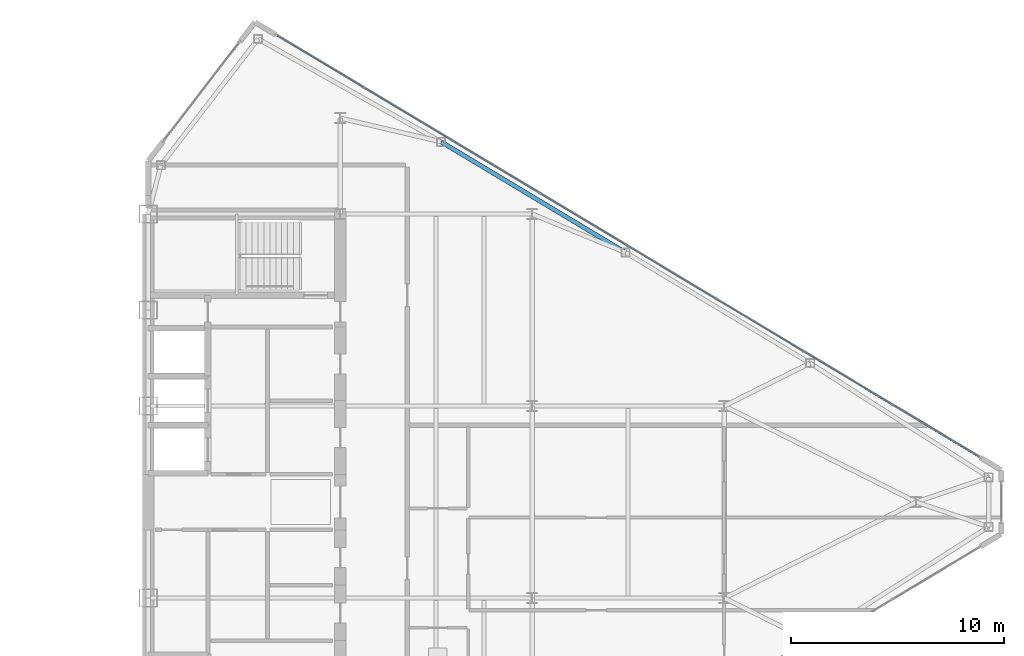
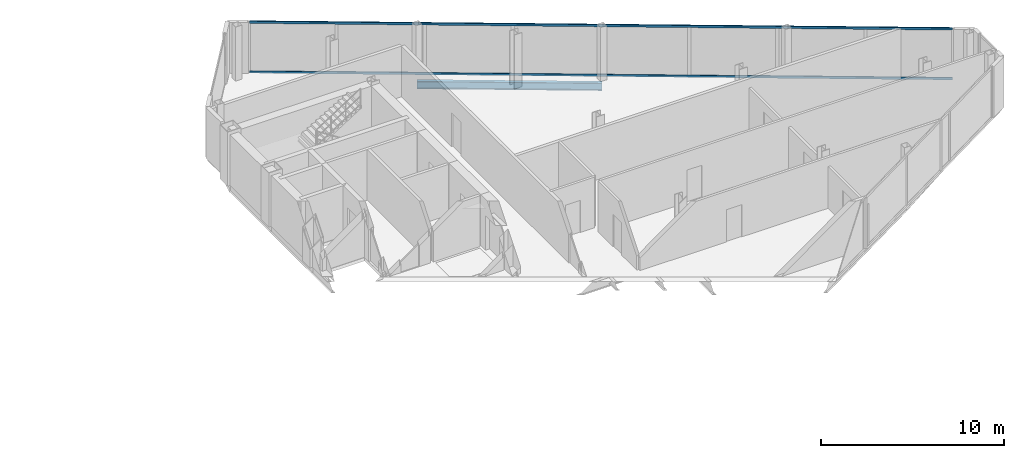
# One storey, part 16 of 25: 2 members, 1 beam, 1 element without a shape of its own.
"""IFC4 building model written with IfcOpenShell, lengths in metres."""

from ifc_helpers import new_model, si_unit, direction, frame, origin, origin_2d, place, context, subcontext, project, spatial, rectangle, i_section, extrude, source, transform, mapped, material, layer, layer_set, material_profile, profile_set, type_object, type_shapes, element, aggregate, save


model = new_model("IFC4")

# Units and contexts
model_context = context("Model", 3, precision=1e-05, world=origin(), true_north=direction((0.0, 1.0)))
body_context = subcontext(model_context, "Body", "Model", "MODEL_VIEW")
ifc_project = project(units=[si_unit("LENGTHUNIT", "METRE"), si_unit("AREAUNIT", "SQUARE_METRE"), si_unit("VOLUMEUNIT", "CUBIC_METRE"), si_unit("PLANEANGLEUNIT", "RADIAN"), si_unit("MASSUNIT", "GRAM", prefix="KILO")], contexts=[model_context])

# Site, building, storey
site_placement = place(None, origin())
site = spatial("IfcSite", under=ifc_project, at=site_placement, CompositionType="ELEMENT")
building_placement = place(site_placement, origin())
building = spatial("IfcBuilding", under=site, at=building_placement, Name="Seokmaru Belvedere", CompositionType="ELEMENT")
storey_placement = place(building_placement, frame((0.0, 0.0, 206.699951171875)))
storey = spatial("IfcBuildingStorey", under=building, at=storey_placement, Name="L55", CompositionType="ELEMENT", Elevation=206.699951171875)

# Beam
ifc_material_1 = material(Name="Steel SM355 (355 MPa)", Category="steel")
ifc_material_profile_1 = material_profile(ifc_material_1, i_section(OverallWidth=0.199951171875, OverallDepth=0.5, WebThickness=0.010009765625, FlangeThickness=0.01611328125, at=origin_2d()), Name="H-500x200x10x16")
ifc_profile_set_1 = profile_set([ifc_material_profile_1], Name="Steel SM355 (355 MPa)")
beam_type = type_object("IfcBeamType", Name="Perimeter Spandrel Beam H-500", PredefinedType="SPANDREL", material=ifc_profile_set_1)
shared_shape_1 = source(origin(), body_context, "Body", "SweptSolid", [
    extrude(i_section(OverallWidth=0.199951171875, OverallDepth=0.5, WebThickness=0.010009765625, FlangeThickness=0.01611328125, at=origin_2d()), origin(), (0.0, 0.0, 1.0), 10.087646484375),
])
type_shapes(beam_type, [shared_shape_1])
beam_placement = place(storey_placement, frame((41.229736328125, 16.888916015625, -0.469970703125), z_axis=(0.857499332045, -0.514485078056, 0.0), x_axis=(0.514485078056, 0.857499332045, 0.0)))
element("IfcBeam", 1, at=beam_placement, inside=storey, type_object=beam_type, Name="L55 E Faceted Flank Spandrel N-2", PredefinedType="SPANDREL", context=body_context, shape_type="MappedRepresentation", body=[
    mapped(shared_shape_1, transform((0.0, 0.0, 0.0), scale=1.0)),
])

# Curtain wall, members
ifc_material_2 = material(Name="Bronze Triple Insulating Glass", Category="glass")
ifc_layer = layer(ifc_material_2, 0.179931640625)
ifc_layer_set = layer_set([ifc_layer], Name="Bronze Triple Insulating Glass")
curtain_wall_type = type_object("IfcCurtainWallType", Name="High-Rise Wind-Corner Curtain Wall System CW-5", PredefinedType="NOTDEFINED", material=ifc_layer_set)
curtain_wall_placement = place(storey_placement, origin())
curtain_wall = element("IfcCurtainWall", 2, at=curtain_wall_placement, inside=storey, type_object=curtain_wall_type, Name="L55 Curtain Wall EF3", PredefinedType="NOTDEFINED")
ifc_material_3 = material(Name="Anodised Bronze Aluminium", Category="aluminium")
ifc_material_profile_2 = material_profile(ifc_material_3, rectangle(XDim=0.06494140625, YDim=0.14990234375, at=origin_2d()), Name="CW-T-65x150")
ifc_profile_set_2 = profile_set([ifc_material_profile_2], Name="Anodised Bronze Aluminium")
member_type = type_object("IfcMemberType", Name="Bronze Unitised Transom 65x150", PredefinedType="USERDEFINED", material=ifc_profile_set_2)
shared_shape_2 = source(origin(), body_context, "Body", "SweptSolid", [
    extrude(rectangle(XDim=0.06494140625, YDim=0.14990234375, at=origin_2d()), origin(), (0.0, 0.0, 1.0), 38.386962890625),
])
type_shapes(member_type, [shared_shape_2])
member_1_placement = place(storey_placement, frame((66.458251953125, 2.125, 0.032470703125), z_axis=(-0.85749180336, 0.514497626011, 0.0), x_axis=(-0.514497626011, -0.85749180336, 0.0)))
member_1 = element("IfcMember", 3, at=member_1_placement, type_object=member_type, Name="CW:L55:EF3 Continuous Transom 1", ObjectType="TRANSOM", PredefinedType="USERDEFINED", context=body_context, shape_type="MappedRepresentation", body=[
    mapped(shared_shape_2, transform((0.0, 0.0, 0.0), scale=1.0)),
])
member_2_placement = place(storey_placement, frame((66.458251953125, 2.125, 3.34765625), z_axis=(-0.85749180336, 0.514497626011, 0.0), x_axis=(-0.514497626011, -0.85749180336, 0.0)))
member_2 = element("IfcMember", 4, at=member_2_placement, type_object=member_type, Name="CW:L55:EF3 Continuous Transom 2", ObjectType="TRANSOM", PredefinedType="USERDEFINED", context=body_context, shape_type="MappedRepresentation", body=[
    mapped(shared_shape_2, transform((0.0, 0.0, 0.0), scale=1.0)),
])
aggregate(curtain_wall, [member_1, member_2])

save(model, "model.ifc")
